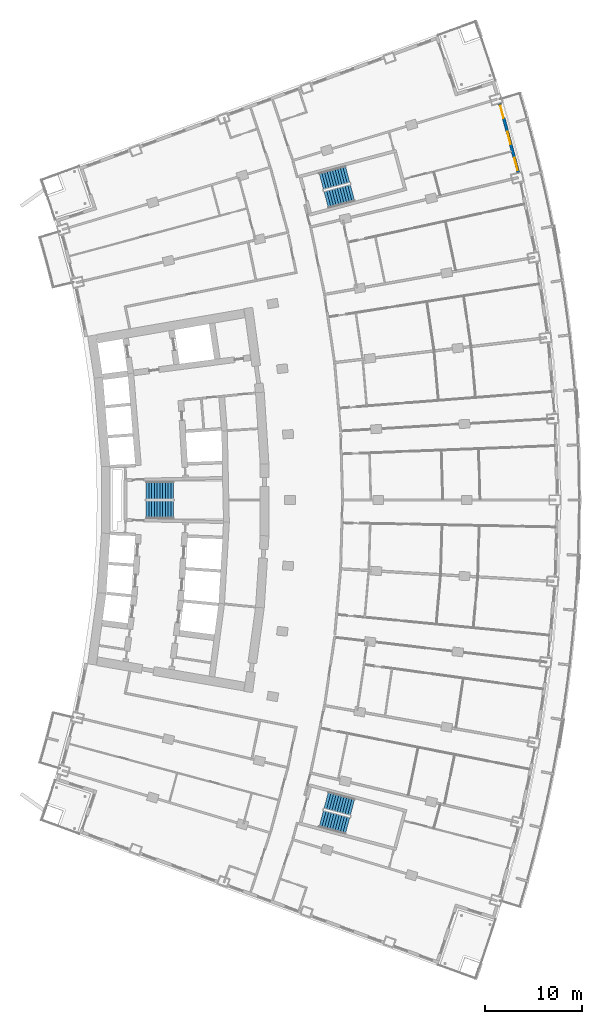
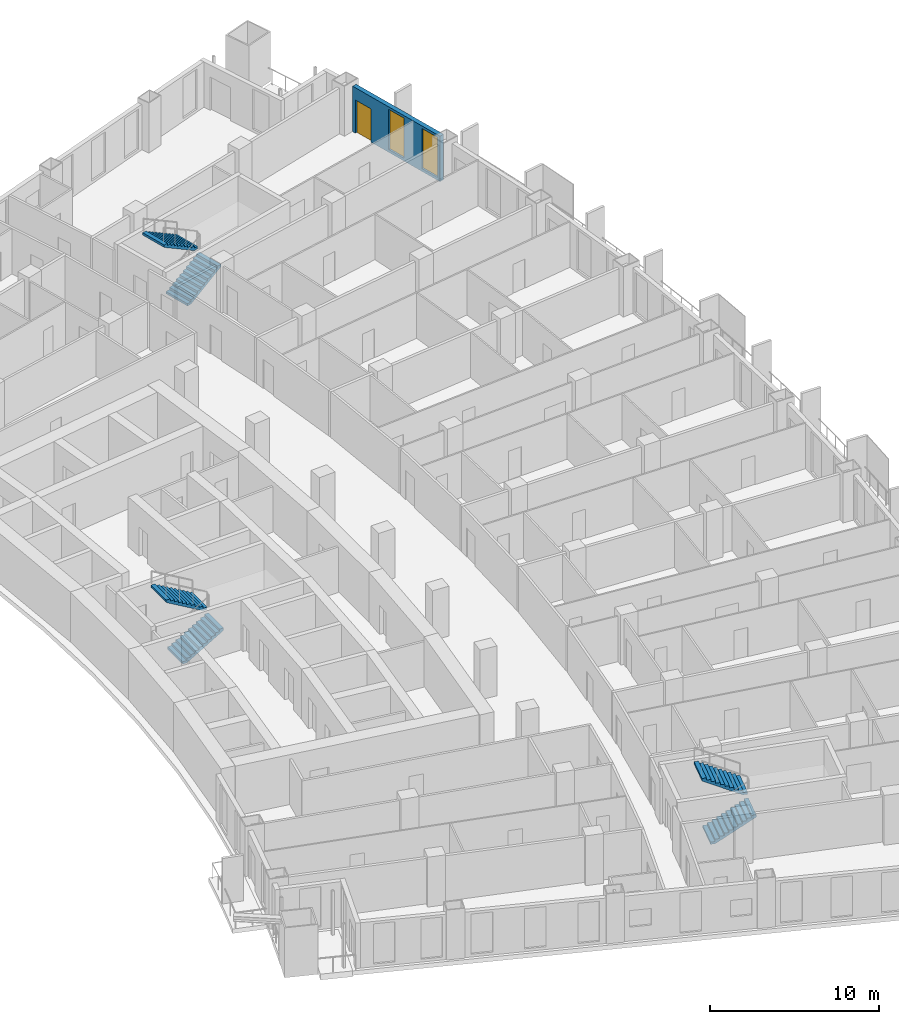
# One storey, part 22 of 25: 6 stair flights, 2 windows, 1 door, 1 wall, 3 openings, 3 elements without a shape of their own.
"""IFC4 building model written with IfcOpenShell, lengths in metres."""

import ifcopenshell
import ifcopenshell.guid

model = None  # the IFC model being written
_history = None  # IfcOwnerHistory: only IFC2X3 demands one
_inside = {}  # id of a spatial element -> (the spatial element, [elements in it])
_under = {}  # id of a project, library or spatial element -> (it, [spatial elements below it])
_declared = {}  # id of a project -> (the project, [libraries it declares])
_typed = {}  # id of a type object -> (the type object, [elements of that type])
_made_of = {}  # id of a material, layer set ... -> (it, [elements and type objects made of it])


def new_model(schema):
    """Start an empty IFC model of exactly this schema.

    Asked for "IFC4X3", IfcOpenShell would pick the latest addendum, in which some entities
    have other attributes; the version numbers below select the first issue.
    IFC2X3 requires an IfcOwnerHistory on every rooted entity: one is made here for all.
    """
    global model, _history
    if schema == "IFC4X3":
        model = ifcopenshell.file(schema_version=(4, 3, 0, 0))
    else:
        model = ifcopenshell.file(schema=schema)
    _inside.clear()
    _under.clear()
    _declared.clear()
    _typed.clear()
    _made_of.clear()
    _history = None
    if model.schema == "IFC2X3":
        org = make("IfcOrganization", Name="unknown")
        user = make(
            "IfcPersonAndOrganization",
            ThePerson=make("IfcPerson", FamilyName="unknown"),
            TheOrganization=org,
        )
        app = make(
            "IfcApplication",
            ApplicationDeveloper=org,
            Version="unknown",
            ApplicationFullName="unknown",
            ApplicationIdentifier="unknown",
        )
        _history = make(
            "IfcOwnerHistory",
            OwningUser=user,
            OwningApplication=app,
            ChangeAction="ADDED",
            CreationDate=0,
        )
    return model


def make(cls, **values):
    """One entity of the class cls with the attributes given. An attribute that is None is left unset."""
    return model.create_entity(
        cls, **{name: value for name, value in values.items() if value is not None}
    )


def rooted(cls, **values):
    """An entity with a GlobalId (a new one), such as an element, a storey or a relation."""
    return make(cls, GlobalId=ifcopenshell.guid.new(), OwnerHistory=_history, **values)


def si_unit(unit_type, name, prefix=None):
    """IfcSIUnit, for example si_unit("LENGTHUNIT", "METRE", prefix="MILLI")."""
    return make("IfcSIUnit", UnitType=unit_type, Prefix=prefix, Name=name)


def assignment(units):
    """IfcUnitAssignment: the units of a project."""
    return None if units is None else make("IfcUnitAssignment", Units=units)


def point(xyz):
    """IfcCartesianPoint."""
    return None if xyz is None else make("IfcCartesianPoint", Coordinates=xyz)


def direction(xyz):
    """IfcDirection."""
    return None if xyz is None else make("IfcDirection", DirectionRatios=xyz)


def frame(location, z_axis=None, x_axis=None):
    """IfcAxis2Placement3D, a coordinate frame: its origin and axes. An axis left out is left unset."""
    return make(
        "IfcAxis2Placement3D",
        Location=point(location),
        Axis=direction(z_axis),
        RefDirection=direction(x_axis),
    )


def frame_2d(location, x_axis=None):
    """IfcAxis2Placement2D, a coordinate frame in the plane: its origin and x axis."""
    return make(
        "IfcAxis2Placement2D", Location=point(location), RefDirection=direction(x_axis)
    )


def origin():
    """The frame at (0, 0, 0) with its axes left unset."""
    return frame((0.0, 0.0, 0.0))


def place(relative_to, where):
    """IfcLocalPlacement: puts the frame where relative to a parent placement (None: the world)."""
    return make(
        "IfcLocalPlacement", PlacementRelTo=relative_to, RelativePlacement=where
    )


def context(
    kind, dimensions, precision=None, world=None, true_north=None, identifier=None
):
    """IfcGeometricRepresentationContext, for example the 3D "Model" context."""
    return make(
        "IfcGeometricRepresentationContext",
        ContextIdentifier=identifier,
        ContextType=kind,
        CoordinateSpaceDimension=dimensions,
        Precision=precision,
        WorldCoordinateSystem=world,
        TrueNorth=true_north,
    )


def subcontext(parent, identifier, kind, view, scale=None):
    """IfcGeometricRepresentationSubContext, for example "Body" below "Model"."""
    return make(
        "IfcGeometricRepresentationSubContext",
        ContextIdentifier=identifier,
        ContextType=kind,
        ParentContext=parent,
        TargetScale=scale,
        TargetView=view,
    )


def project(units=None, contexts=None):
    """IfcProject with its units and contexts."""
    return rooted(
        "IfcProject",
        Name="project",
        RepresentationContexts=contexts,
        UnitsInContext=assignment(units),
    )


def spatial(cls, under=None, at=None, **own):
    """A site, building, storey or space (cls), placed at a placement, below another one or the project."""
    s = rooted(cls, ObjectPlacement=at, **own)
    if under is not None:
        _under.setdefault(under.id(), (under, []))[1].append(s)
    return s


def polyline(points):
    """IfcPolyline through the points."""
    return make("IfcPolyline", Points=[point(p) for p in points])


def profile(cls, at=None, kind="AREA", **sizes):
    """A parametric profile (cls). Its sizes go by their IFC names, for example OverallWidth=200.0."""
    return make(cls, ProfileType=kind, Position=at, **sizes)


def rectangle(**sizes):
    """IfcRectangleProfileDef."""
    return profile("IfcRectangleProfileDef", **sizes)


def outline(outer, holes=None, kind="AREA"):
    """IfcArbitraryClosedProfileDef: a profile drawn as a closed curve; with holes, ...WithVoids."""
    if holes is None:
        return make("IfcArbitraryClosedProfileDef", ProfileType=kind, OuterCurve=outer)
    return make(
        "IfcArbitraryProfileDefWithVoids",
        ProfileType=kind,
        OuterCurve=outer,
        InnerCurves=holes,
    )


def extrude(swept, where, along, depth):
    """IfcExtrudedAreaSolid: the profile swept, set in the frame where, extruded along a direction by depth."""
    return make(
        "IfcExtrudedAreaSolid",
        SweptArea=swept,
        Position=where,
        ExtrudedDirection=direction(along),
        Depth=depth,
    )


def shape(context_of_items, identifier, shape_type, items):
    """IfcShapeRepresentation: the items that make up one representation, for example the "Body"."""
    return make(
        "IfcShapeRepresentation",
        ContextOfItems=context_of_items,
        RepresentationIdentifier=identifier,
        RepresentationType=shape_type,
        Items=items,
    )


def material(Name=None, Category=None):
    """IfcMaterial."""
    return make("IfcMaterial", Name=Name, Category=Category)


def layer(
    of_material, thickness, ventilated=None, Name=None, Category=None, Priority=None
):
    """IfcMaterialLayer: one layer of a wall or slab, of a material (None: an air gap)."""
    return make(
        "IfcMaterialLayer",
        Material=of_material,
        LayerThickness=thickness,
        IsVentilated=ventilated,
        Name=Name,
        Category=Category,
        Priority=Priority,
    )


def layer_set(layers, Name=None):
    """IfcMaterialLayerSet."""
    return make("IfcMaterialLayerSet", MaterialLayers=layers, LayerSetName=Name)


def made_of(thing, what):
    """Note that an element or type object is made of a material, layer set ...; save() writes the relation."""
    if what is not None:
        _made_of.setdefault(what.id(), (what, []))[1].append(thing)
    return thing


def type_object(cls, material=None, **own):
    """A type object (cls), such as IfcWallType, which elements share."""
    return made_of(rooted(cls, **own), material)


def element(
    cls,
    number,
    at=None,
    inside=None,
    cuts=None,
    type_object=None,
    material=None,
    context=None,
    identifier="Body",
    shape_type=None,
    held_by="IfcProductDefinitionShape",
    body=None,
    shapes=None,
    **own,
):
    """One element of the class cls, such as IfcWall. Its Tag is "e" and its number.

    at: its placement. inside: the storey or other place that contains it. cuts: it is an
    opening in that element (IfcRelVoidsElement). A single representation is given by context,
    identifier, shape_type and body (its items); several are given by shapes. held_by: the class
    of the entity that holds the representations. save() writes the other relations.
    """
    e = rooted(cls, Tag="e%d" % number, ObjectPlacement=at, **own)
    if body is not None:
        shapes = [shape(context, identifier, shape_type, body)]
    if shapes is not None:
        e.Representation = make(held_by, Representations=shapes)
    if inside is not None:
        _inside.setdefault(inside.id(), (inside, []))[1].append(e)
    if cuts is not None:
        rooted(
            "IfcRelVoidsElement", RelatingBuildingElement=cuts, RelatedOpeningElement=e
        )
    if type_object is not None:
        _typed.setdefault(type_object.id(), (type_object, []))[1].append(e)
    return made_of(e, material)


def fill(opening, filler):
    """IfcRelFillsElement: the door or window that sits in an opening."""
    return rooted(
        "IfcRelFillsElement",
        RelatingOpeningElement=opening,
        RelatedBuildingElement=filler,
    )


def aggregate(whole, parts):
    """IfcRelAggregates: a whole, such as a stair, and the parts it consists of."""
    return rooted("IfcRelAggregates", RelatingObject=whole, RelatedObjects=parts)


def save(model, path):
    """Write the relations noted so far, then the file.

    IfcRelAggregates (storeys below a building ...), IfcRelContainedInSpatialStructure (elements
    in a storey), IfcRelDefinesByType, IfcRelAssociatesMaterial and IfcRelDeclares: one each for
    every whole, place, type object, material and project.
    """
    for whole, parts in _under.values():
        aggregate(whole, parts)
    for where, things in _inside.values():
        rooted(
            "IfcRelContainedInSpatialStructure",
            RelatedElements=things,
            RelatingStructure=where,
        )
    for kind, things in _typed.values():
        rooted("IfcRelDefinesByType", RelatedObjects=things, RelatingType=kind)
    for what, things in _made_of.values():
        rooted("IfcRelAssociatesMaterial", RelatedObjects=things, RelatingMaterial=what)
    for by, libraries in _declared.values():
        rooted("IfcRelDeclares", RelatingContext=by, RelatedDefinitions=libraries)
    model.write(path)


model = new_model("IFC4")

# Units and contexts
model_context = context("Model", 3, precision=1e-05, world=origin(), true_north=direction((0.0, 1.0)))
body_context = subcontext(model_context, "Body", "Model", "MODEL_VIEW")
ifc_project = project(units=[si_unit("LENGTHUNIT", "METRE"), si_unit("AREAUNIT", "SQUARE_METRE"), si_unit("VOLUMEUNIT", "CUBIC_METRE"), si_unit("PLANEANGLEUNIT", "RADIAN"), si_unit("MASSUNIT", "GRAM", prefix="KILO")], contexts=[model_context])

# Site, building, storey
site_placement = place(None, origin())
site = spatial("IfcSite", under=ifc_project, at=site_placement, CompositionType="ELEMENT")
building_placement = place(site_placement, origin())
building = spatial("IfcBuilding", under=site, at=building_placement, Name="Alderwake Tower", CompositionType="ELEMENT")
storey_placement = place(building_placement, frame((0.0, 0.0, 46.39990234375)))
storey = spatial("IfcBuildingStorey", under=building, at=storey_placement, Name="L10", CompositionType="ELEMENT", Elevation=46.39990234375)

# Wall, openings, door, windows
ifc_material_1 = material(Name="Precast concrete C50/60 spandrel panel", Category="concrete")
ifc_layer_1 = layer(ifc_material_1, 0.300048828125)
ifc_layer_set_1 = layer_set([ifc_layer_1], Name="External wall EW1 Precast concrete C50/60 spandrel")
wall_type = type_object("IfcWallType", Name="External wall EW1 Precast concrete C50/60 spandrel", PredefinedType="SOLIDWALL", material=ifc_layer_set_1)
wall_placement = place(storey_placement, frame((59.23193359375, 94.629150390625, 0.0), z_axis=(0.0, 0.0, 1.0), x_axis=(-0.259482096381, 0.965747918278, 0.0)))
wall = element("IfcWall", 1, at=wall_placement, inside=storey, type_object=wall_type, Name="External wall 21", PredefinedType="SOLIDWALL", context=body_context, shape_type="SweptSolid", body=[
    extrude(rectangle(XDim=7.305908203125, YDim=0.300048828125, at=frame_2d((3.65283203125, 0.0))), origin(), (0.0, 0.0, 1.0), 3.280029296875),
])
opening_1_placement = place(wall_placement, frame((0.222900390625, 0.0, 0.199951171875)))
opening_1 = element("IfcOpeningElement", 2, at=opening_1_placement, cuts=wall, Name="Opening W1", PredefinedType="OPENING", context=body_context, shape_type="SweptSolid", body=[
    extrude(rectangle(XDim=1.300048828125, YDim=2.89990234375, at=frame_2d((0.64990234375, 1.449951171875))), frame((0.0, 0.159912109375, 0.0), z_axis=(0.0, -1.0, 0.0), x_axis=(1.0, 0.0, 0.0)), (0.0, 0.0, 1.0), 0.320068359375),
])
opening_2_placement = place(wall_placement, frame((3.0029296875, 0.0, 0.199951171875)))
opening_2 = element("IfcOpeningElement", 3, at=opening_2_placement, cuts=wall, Name="Opening W1", PredefinedType="OPENING", context=body_context, shape_type="SweptSolid", body=[
    extrude(rectangle(XDim=1.300048828125, YDim=2.89990234375, at=frame_2d((0.64990234375, 1.449951171875))), frame((0.0, 0.159912109375, 0.0), z_axis=(0.0, -1.0, 0.0), x_axis=(1.0, 0.0, 0.0)), (0.0, 0.0, 1.0), 0.320068359375),
])
opening_3_placement = place(wall_placement, frame((5.783203125, 0.0, 0.0)))
opening_3 = element("IfcOpeningElement", 4, at=opening_3_placement, cuts=wall, Name="Opening D12", PredefinedType="OPENING", context=body_context, shape_type="SweptSolid", body=[
    extrude(rectangle(XDim=1.300048828125, YDim=2.39990234375, at=frame_2d((0.64990234375, 1.199951171875))), frame((0.0, 0.159912109375, 0.0), z_axis=(0.0, -1.0, 0.0), x_axis=(1.0, 0.0, 0.0)), (0.0, 0.0, 1.0), 0.320068359375),
])
ifc_material_2 = material(Name="Bronze tinted glass in aluminium frame", Category="aluminium")
door_type = type_object("IfcDoorType", Name="Balcony door BD sliding", OperationType="SLIDING_TO_LEFT", PredefinedType="DOOR", material=ifc_material_2)
door_placement = place(opening_3_placement, origin())
door = element("IfcDoor", 5, at=door_placement, inside=storey, type_object=door_type, Name="Door D12", OperationType="SLIDING_TO_LEFT", OverallHeight=2.39990234375, OverallWidth=1.300048828125, PredefinedType="DOOR", context=body_context, shape_type="SweptSolid", body=[
    extrude(rectangle(XDim=1.300048828125, YDim=2.39990234375, at=frame_2d((0.64990234375, 1.199951171875))), frame((0.0, 0.02490234375, 0.0), z_axis=(0.0, -1.0, 0.0), x_axis=(1.0, 0.0, 0.0)), (0.0, 0.0, 1.0), 0.050048828125),
])
fill(opening_3, door)
ifc_material_3 = material(Name="Bronze tinted glass in aluminium frame", Category="aluminium")
window_type = type_object("IfcWindowType", Name="Window W1 tall fixed and vent", PartitioningType="DOUBLE_PANEL_VERTICAL", PredefinedType="WINDOW", material=ifc_material_3)
window_1_placement = place(opening_1_placement, origin())
window_1 = element("IfcWindow", 6, at=window_1_placement, inside=storey, type_object=window_type, Name="Window W1 tall fixed and vent", OverallHeight=2.89990234375, OverallWidth=1.300048828125, PartitioningType="DOUBLE_PANEL_VERTICAL", PredefinedType="WINDOW", context=body_context, shape_type="SweptSolid", body=[
    extrude(rectangle(XDim=1.300048828125, YDim=2.89990234375, at=frame_2d((0.64990234375, 1.449951171875))), frame((0.0, 0.030029296875, 0.0), z_axis=(0.0, -1.0, 0.0), x_axis=(1.0, 0.0, 0.0)), (0.0, 0.0, 1.0), 0.06005859375),
])
fill(opening_1, window_1)
window_2_placement = place(opening_2_placement, origin())
window_2 = element("IfcWindow", 7, at=window_2_placement, inside=storey, type_object=window_type, Name="Window W1 tall fixed and vent", OverallHeight=2.89990234375, OverallWidth=1.300048828125, PartitioningType="DOUBLE_PANEL_VERTICAL", PredefinedType="WINDOW", context=body_context, shape_type="SweptSolid", body=[
    extrude(rectangle(XDim=1.300048828125, YDim=2.89990234375, at=frame_2d((0.64990234375, 1.449951171875))), frame((0.0, 0.030029296875, 0.0), z_axis=(0.0, -1.0, 0.0), x_axis=(1.0, 0.0, 0.0)), (0.0, 0.0, 1.0), 0.06005859375),
])
fill(opening_2, window_2)

# Stair, stair flights
ifc_material_4 = material(Name="Concrete C40/50", Category="concrete")
stair_type = type_object("IfcStairType", Name="Core exit stair", PredefinedType="HALF_TURN_STAIR", material=ifc_material_4)
stair_1_placement = place(storey_placement, origin())
stair_1 = element("IfcStair", 8, at=stair_1_placement, inside=storey, type_object=stair_type, Name="L10 Exit Stair B", PredefinedType="HALF_TURN_STAIR")
ifc_material_5 = material(Name="Concrete C40/50", Category="concrete")
ifc_layer_2 = layer(ifc_material_5, 0.14990234375)
ifc_layer_set_2 = layer_set([ifc_layer_2], Name="Core stair flight")
stair_flight_type = type_object("IfcStairFlightType", Name="Core stair flight", PredefinedType="STRAIGHT", material=ifc_layer_set_2)
stair_flight_1_placement = place(storey_placement, frame((21.0400390625, 60.02490234375, 0.0), z_axis=(0.0, 0.0, 1.0), x_axis=(1.0, 0.0, 0.0)))
stair_flight_1 = element("IfcStairFlight", 9, at=stair_flight_1_placement, type_object=stair_flight_type, Name="ST-B flight 1", NumberOfRisers=11, NumberOfTreads=10, PredefinedType="STRAIGHT", RiserHeight=0.163636364, TreadLength=0.28, context=body_context, shape_type="SweptSolid", body=[
    extrude(outline(polyline([(0.0, 0.0), (0.0, 0.16357421875), (0.280029296875, 0.16357421875), (0.280029296875, 0.327392578125), (0.56005859375, 0.327392578125), (0.56005859375, 0.490966796875), (0.840087890625, 0.490966796875), (0.840087890625, 0.654541015625), (1.1201171875, 0.654541015625), (1.1201171875, 0.818115234375), (1.39990234375, 0.818115234375), (1.39990234375, 0.98193359375), (1.679931640625, 0.98193359375), (1.679931640625, 1.1455078125), (1.9599609375, 1.1455078125), (1.9599609375, 1.30908203125), (2.239990234375, 1.30908203125), (2.239990234375, 1.47265625), (2.52001953125, 1.47265625), (2.52001953125, 1.636474609375), (2.800048828125, 1.636474609375), (2.800048828125, 1.800048828125), (2.800048828125, 1.462646484375), (0.297119140625, 0.0), (0.0, 0.0)])), frame((0.0, 0.89990234375, 0.0), z_axis=(0.0, -1.0, 0.0), x_axis=(1.0, 0.0, 0.0)), (0.0, 0.0, 1.0), 1.800048828125),
])
stair_flight_2_placement = place(storey_placement, frame((23.840087890625, 61.97509765625, 1.800048828125), z_axis=(0.0, 0.0, 1.0), x_axis=(-1.0, 0.0, 0.0)))
stair_flight_2 = element("IfcStairFlight", 10, at=stair_flight_2_placement, type_object=stair_flight_type, Name="ST-B flight 2", NumberOfRisers=11, NumberOfTreads=10, PredefinedType="STRAIGHT", RiserHeight=0.163636364, TreadLength=0.28, context=body_context, shape_type="SweptSolid", body=[
    extrude(outline(polyline([(0.0, 0.0), (0.0, 0.16357421875), (0.280029296875, 0.16357421875), (0.280029296875, 0.327392578125), (0.56005859375, 0.327392578125), (0.56005859375, 0.490966796875), (0.840087890625, 0.490966796875), (0.840087890625, 0.654541015625), (1.1201171875, 0.654541015625), (1.1201171875, 0.818115234375), (1.39990234375, 0.818115234375), (1.39990234375, 0.98193359375), (1.679931640625, 0.98193359375), (1.679931640625, 1.1455078125), (1.9599609375, 1.1455078125), (1.9599609375, 1.30908203125), (2.239990234375, 1.30908203125), (2.239990234375, 1.47265625), (2.52001953125, 1.47265625), (2.52001953125, 1.636474609375), (2.800048828125, 1.636474609375), (2.800048828125, 1.800048828125), (2.800048828125, 1.462646484375), (0.297119140625, 0.0), (0.0, 0.0)])), frame((0.0, 0.89990234375, 0.0), z_axis=(0.0, -1.0, 0.0), x_axis=(1.0, 0.0, 0.0)), (0.0, 0.0, 1.0), 1.800048828125),
])
aggregate(stair_1, [stair_flight_1, stair_flight_2])

stair_2_placement = place(storey_placement, origin())
stair_2 = element("IfcStair", 11, at=stair_2_placement, inside=storey, type_object=stair_type, Name="L10 Exit Stair A", PredefinedType="HALF_TURN_STAIR")
stair_flight_3_placement = place(storey_placement, frame((39.512939453125, 91.823974609375, 0.0), z_axis=(0.0, 0.0, 1.0), x_axis=(0.966309627437, 0.257382407951, 0.0)))
stair_flight_3 = element("IfcStairFlight", 12, at=stair_flight_3_placement, type_object=stair_flight_type, Name="ST-A flight 1", NumberOfRisers=11, NumberOfTreads=10, PredefinedType="STRAIGHT", RiserHeight=0.163636364, TreadLength=0.28, context=body_context, shape_type="SweptSolid", body=[
    extrude(outline(polyline([(0.0, 0.0), (0.0, 0.16357421875), (0.280029296875, 0.16357421875), (0.280029296875, 0.327392578125), (0.56005859375, 0.327392578125), (0.56005859375, 0.490966796875), (0.840087890625, 0.490966796875), (0.840087890625, 0.654541015625), (1.1201171875, 0.654541015625), (1.1201171875, 0.818115234375), (1.39990234375, 0.818115234375), (1.39990234375, 0.98193359375), (1.679931640625, 0.98193359375), (1.679931640625, 1.1455078125), (1.9599609375, 1.1455078125), (1.9599609375, 1.30908203125), (2.239990234375, 1.30908203125), (2.239990234375, 1.47265625), (2.52001953125, 1.47265625), (2.52001953125, 1.636474609375), (2.800048828125, 1.636474609375), (2.800048828125, 1.800048828125), (2.800048828125, 1.462646484375), (0.297119140625, 0.0), (0.0, 0.0)])), frame((0.0, 0.89990234375, 0.0), z_axis=(0.0, -1.0, 0.0), x_axis=(1.0, 0.0, 0.0)), (0.0, 0.0, 1.0), 1.800048828125),
])
stair_flight_4_placement = place(storey_placement, frame((41.716796875, 94.428955078125, 1.800048828125), z_axis=(0.0, 0.0, 1.0), x_axis=(-0.966309627437, -0.257382407951, 0.0)))
stair_flight_4 = element("IfcStairFlight", 13, at=stair_flight_4_placement, type_object=stair_flight_type, Name="ST-A flight 2", NumberOfRisers=11, NumberOfTreads=10, PredefinedType="STRAIGHT", RiserHeight=0.163636364, TreadLength=0.28, context=body_context, shape_type="SweptSolid", body=[
    extrude(outline(polyline([(0.0, 0.0), (0.0, 0.16357421875), (0.280029296875, 0.16357421875), (0.280029296875, 0.327392578125), (0.56005859375, 0.327392578125), (0.56005859375, 0.490966796875), (0.840087890625, 0.490966796875), (0.840087890625, 0.654541015625), (1.1201171875, 0.654541015625), (1.1201171875, 0.818115234375), (1.39990234375, 0.818115234375), (1.39990234375, 0.98193359375), (1.679931640625, 0.98193359375), (1.679931640625, 1.1455078125), (1.9599609375, 1.1455078125), (1.9599609375, 1.30908203125), (2.239990234375, 1.30908203125), (2.239990234375, 1.47265625), (2.52001953125, 1.47265625), (2.52001953125, 1.636474609375), (2.800048828125, 1.636474609375), (2.800048828125, 1.800048828125), (2.800048828125, 1.462646484375), (0.297119140625, 0.0), (0.0, 0.0)])), frame((0.0, 0.89990234375, 0.0), z_axis=(0.0, -1.0, 0.0), x_axis=(1.0, 0.0, 0.0)), (0.0, 0.0, 1.0), 1.800048828125),
])
aggregate(stair_2, [stair_flight_3, stair_flight_4])

stair_3_placement = place(storey_placement, origin())
stair_3 = element("IfcStair", 14, at=stair_3_placement, inside=storey, type_object=stair_type, Name="L10 Exit Stair C", PredefinedType="HALF_TURN_STAIR")
stair_flight_5_placement = place(storey_placement, frame((39.010986328125, 28.291748046875, 0.0), z_axis=(0.0, 0.0, 1.0), x_axis=(0.966309627437, -0.257382407951, 0.0)))
stair_flight_5 = element("IfcStairFlight", 15, at=stair_flight_5_placement, type_object=stair_flight_type, Name="ST-C flight 1", NumberOfRisers=11, NumberOfTreads=10, PredefinedType="STRAIGHT", RiserHeight=0.163636364, TreadLength=0.28, context=body_context, shape_type="SweptSolid", body=[
    extrude(outline(polyline([(0.0, 0.0), (0.0, 0.16357421875), (0.280029296875, 0.16357421875), (0.280029296875, 0.327392578125), (0.56005859375, 0.327392578125), (0.56005859375, 0.490966796875), (0.840087890625, 0.490966796875), (0.840087890625, 0.654541015625), (1.1201171875, 0.654541015625), (1.1201171875, 0.818115234375), (1.39990234375, 0.818115234375), (1.39990234375, 0.98193359375), (1.679931640625, 0.98193359375), (1.679931640625, 1.1455078125), (1.9599609375, 1.1455078125), (1.9599609375, 1.30908203125), (2.239990234375, 1.30908203125), (2.239990234375, 1.47265625), (2.52001953125, 1.47265625), (2.52001953125, 1.636474609375), (2.800048828125, 1.636474609375), (2.800048828125, 1.800048828125), (2.800048828125, 1.462646484375), (0.297119140625, 0.0), (0.0, 0.0)])), frame((0.0, 0.89990234375, 0.0), z_axis=(0.0, -1.0, 0.0), x_axis=(1.0, 0.0, 0.0)), (0.0, 0.0, 1.0), 1.800048828125),
])
stair_flight_6_placement = place(storey_placement, frame((42.218505859375, 29.455322265625, 1.800048828125), z_axis=(0.0, 0.0, 1.0), x_axis=(-0.966309627437, 0.257382407951, 0.0)))
stair_flight_6 = element("IfcStairFlight", 16, at=stair_flight_6_placement, type_object=stair_flight_type, Name="ST-C flight 2", NumberOfRisers=11, NumberOfTreads=10, PredefinedType="STRAIGHT", RiserHeight=0.163636364, TreadLength=0.28, context=body_context, shape_type="SweptSolid", body=[
    extrude(outline(polyline([(0.0, 0.0), (0.0, 0.16357421875), (0.280029296875, 0.16357421875), (0.280029296875, 0.327392578125), (0.56005859375, 0.327392578125), (0.56005859375, 0.490966796875), (0.840087890625, 0.490966796875), (0.840087890625, 0.654541015625), (1.1201171875, 0.654541015625), (1.1201171875, 0.818115234375), (1.39990234375, 0.818115234375), (1.39990234375, 0.98193359375), (1.679931640625, 0.98193359375), (1.679931640625, 1.1455078125), (1.9599609375, 1.1455078125), (1.9599609375, 1.30908203125), (2.239990234375, 1.30908203125), (2.239990234375, 1.47265625), (2.52001953125, 1.47265625), (2.52001953125, 1.636474609375), (2.800048828125, 1.636474609375), (2.800048828125, 1.800048828125), (2.800048828125, 1.462646484375), (0.297119140625, 0.0), (0.0, 0.0)])), frame((0.0, 0.89990234375, 0.0), z_axis=(0.0, -1.0, 0.0), x_axis=(1.0, 0.0, 0.0)), (0.0, 0.0, 1.0), 1.800048828125),
])
aggregate(stair_3, [stair_flight_5, stair_flight_6])

save(model, "model.ifc")
